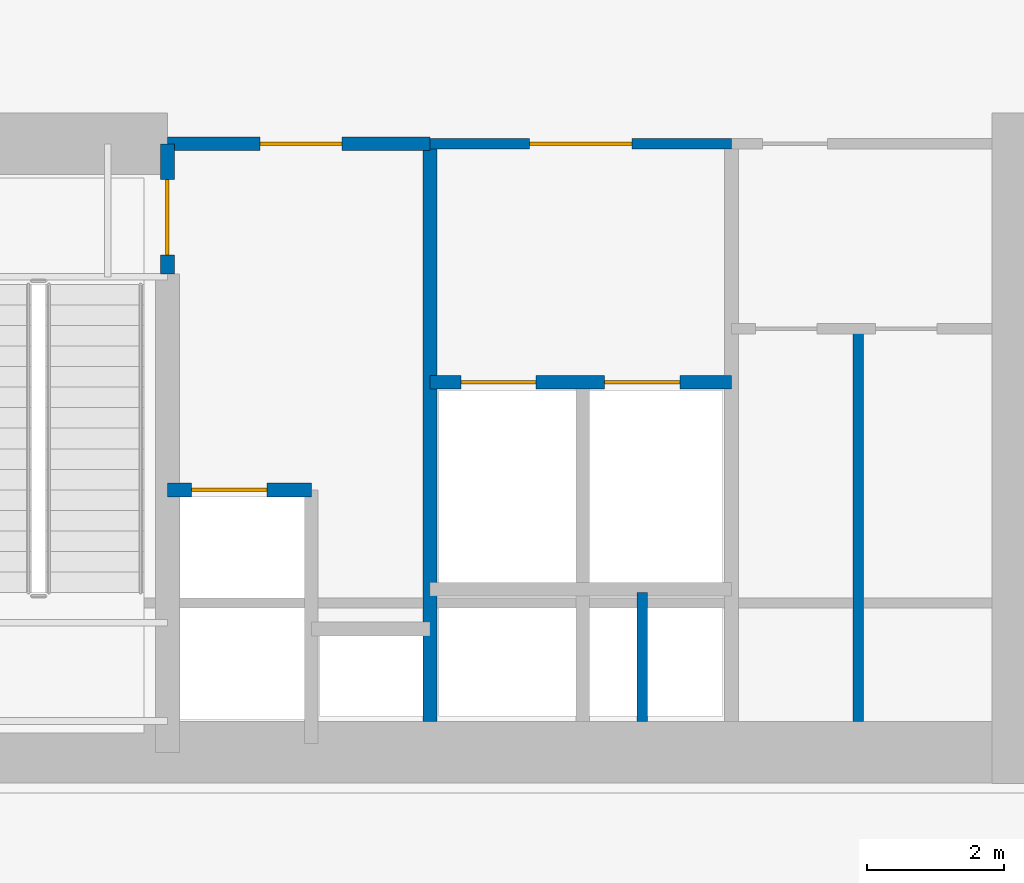
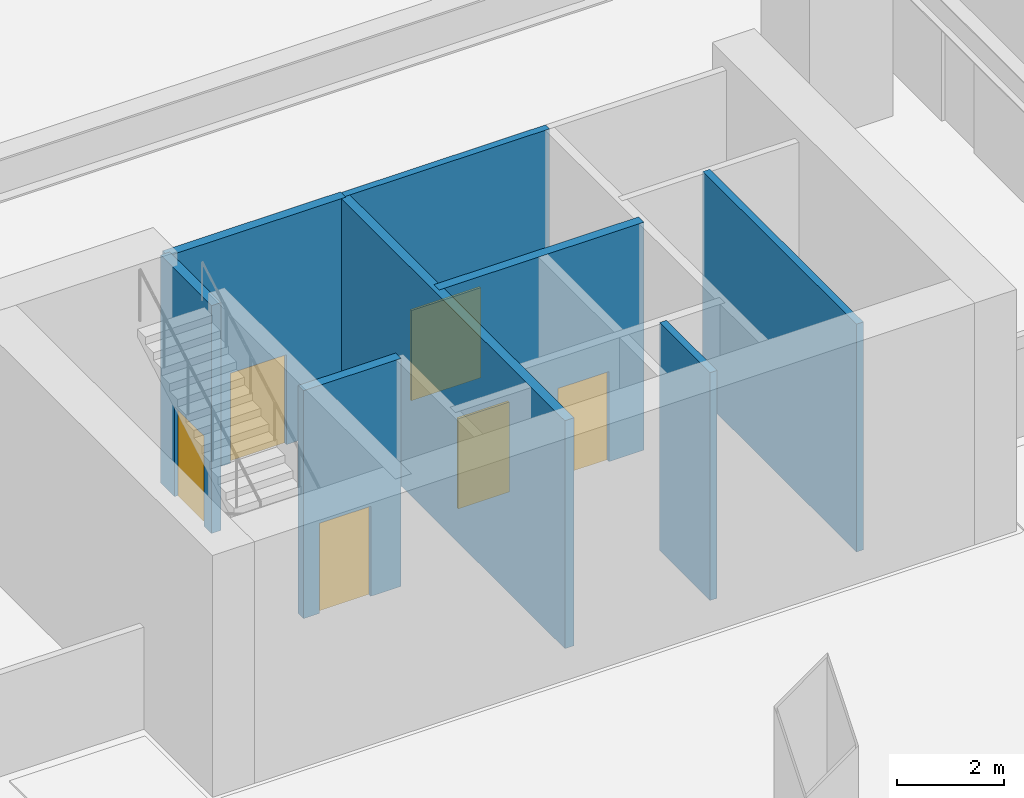
# One storey, part 23 of 34: 8 walls, 6 doors, 6 openings.
"""IFC4 building model written with IfcOpenShell, lengths in metres."""

import ifcopenshell
import ifcopenshell.guid

model = None  # the IFC model being written
_history = None  # IfcOwnerHistory: only IFC2X3 demands one
_inside = {}  # id of a spatial element -> (the spatial element, [elements in it])
_under = {}  # id of a project, library or spatial element -> (it, [spatial elements below it])
_declared = {}  # id of a project -> (the project, [libraries it declares])
_typed = {}  # id of a type object -> (the type object, [elements of that type])
_made_of = {}  # id of a material, layer set ... -> (it, [elements and type objects made of it])


def new_model(schema):
    """Start an empty IFC model of exactly this schema.

    Asked for "IFC4X3", IfcOpenShell would pick the latest addendum, in which some entities
    have other attributes; the version numbers below select the first issue.
    IFC2X3 requires an IfcOwnerHistory on every rooted entity: one is made here for all.
    """
    global model, _history
    if schema == "IFC4X3":
        model = ifcopenshell.file(schema_version=(4, 3, 0, 0))
    else:
        model = ifcopenshell.file(schema=schema)
    _inside.clear()
    _under.clear()
    _declared.clear()
    _typed.clear()
    _made_of.clear()
    _history = None
    if model.schema == "IFC2X3":
        org = make("IfcOrganization", Name="unknown")
        user = make(
            "IfcPersonAndOrganization",
            ThePerson=make("IfcPerson", FamilyName="unknown"),
            TheOrganization=org,
        )
        app = make(
            "IfcApplication",
            ApplicationDeveloper=org,
            Version="unknown",
            ApplicationFullName="unknown",
            ApplicationIdentifier="unknown",
        )
        _history = make(
            "IfcOwnerHistory",
            OwningUser=user,
            OwningApplication=app,
            ChangeAction="ADDED",
            CreationDate=0,
        )
    return model


def make(cls, **values):
    """One entity of the class cls with the attributes given. An attribute that is None is left unset."""
    return model.create_entity(
        cls, **{name: value for name, value in values.items() if value is not None}
    )


def rooted(cls, **values):
    """An entity with a GlobalId (a new one), such as an element, a storey or a relation."""
    return make(cls, GlobalId=ifcopenshell.guid.new(), OwnerHistory=_history, **values)


def si_unit(unit_type, name, prefix=None):
    """IfcSIUnit, for example si_unit("LENGTHUNIT", "METRE", prefix="MILLI")."""
    return make("IfcSIUnit", UnitType=unit_type, Prefix=prefix, Name=name)


def assignment(units):
    """IfcUnitAssignment: the units of a project."""
    return None if units is None else make("IfcUnitAssignment", Units=units)


def point(xyz):
    """IfcCartesianPoint."""
    return None if xyz is None else make("IfcCartesianPoint", Coordinates=xyz)


def direction(xyz):
    """IfcDirection."""
    return None if xyz is None else make("IfcDirection", DirectionRatios=xyz)


def frame(location, z_axis=None, x_axis=None):
    """IfcAxis2Placement3D, a coordinate frame: its origin and axes. An axis left out is left unset."""
    return make(
        "IfcAxis2Placement3D",
        Location=point(location),
        Axis=direction(z_axis),
        RefDirection=direction(x_axis),
    )


def frame_2d(location, x_axis=None):
    """IfcAxis2Placement2D, a coordinate frame in the plane: its origin and x axis."""
    return make(
        "IfcAxis2Placement2D", Location=point(location), RefDirection=direction(x_axis)
    )


def origin():
    """The frame at (0, 0, 0) with its axes left unset."""
    return frame((0.0, 0.0, 0.0))


def place(relative_to, where):
    """IfcLocalPlacement: puts the frame where relative to a parent placement (None: the world)."""
    return make(
        "IfcLocalPlacement", PlacementRelTo=relative_to, RelativePlacement=where
    )


def context(
    kind, dimensions, precision=None, world=None, true_north=None, identifier=None
):
    """IfcGeometricRepresentationContext, for example the 3D "Model" context."""
    return make(
        "IfcGeometricRepresentationContext",
        ContextIdentifier=identifier,
        ContextType=kind,
        CoordinateSpaceDimension=dimensions,
        Precision=precision,
        WorldCoordinateSystem=world,
        TrueNorth=true_north,
    )


def subcontext(parent, identifier, kind, view, scale=None):
    """IfcGeometricRepresentationSubContext, for example "Body" below "Model"."""
    return make(
        "IfcGeometricRepresentationSubContext",
        ContextIdentifier=identifier,
        ContextType=kind,
        ParentContext=parent,
        TargetScale=scale,
        TargetView=view,
    )


def project(units=None, contexts=None):
    """IfcProject with its units and contexts."""
    return rooted(
        "IfcProject",
        Name="project",
        RepresentationContexts=contexts,
        UnitsInContext=assignment(units),
    )


def spatial(cls, under=None, at=None, **own):
    """A site, building, storey or space (cls), placed at a placement, below another one or the project."""
    s = rooted(cls, ObjectPlacement=at, **own)
    if under is not None:
        _under.setdefault(under.id(), (under, []))[1].append(s)
    return s


def profile(cls, at=None, kind="AREA", **sizes):
    """A parametric profile (cls). Its sizes go by their IFC names, for example OverallWidth=200.0."""
    return make(cls, ProfileType=kind, Position=at, **sizes)


def rectangle(**sizes):
    """IfcRectangleProfileDef."""
    return profile("IfcRectangleProfileDef", **sizes)


def extrude(swept, where, along, depth):
    """IfcExtrudedAreaSolid: the profile swept, set in the frame where, extruded along a direction by depth."""
    return make(
        "IfcExtrudedAreaSolid",
        SweptArea=swept,
        Position=where,
        ExtrudedDirection=direction(along),
        Depth=depth,
    )


def shape(context_of_items, identifier, shape_type, items):
    """IfcShapeRepresentation: the items that make up one representation, for example the "Body"."""
    return make(
        "IfcShapeRepresentation",
        ContextOfItems=context_of_items,
        RepresentationIdentifier=identifier,
        RepresentationType=shape_type,
        Items=items,
    )


def material(Name=None, Category=None):
    """IfcMaterial."""
    return make("IfcMaterial", Name=Name, Category=Category)


def layer(
    of_material, thickness, ventilated=None, Name=None, Category=None, Priority=None
):
    """IfcMaterialLayer: one layer of a wall or slab, of a material (None: an air gap)."""
    return make(
        "IfcMaterialLayer",
        Material=of_material,
        LayerThickness=thickness,
        IsVentilated=ventilated,
        Name=Name,
        Category=Category,
        Priority=Priority,
    )


def layer_set(layers, Name=None):
    """IfcMaterialLayerSet."""
    return make("IfcMaterialLayerSet", MaterialLayers=layers, LayerSetName=Name)


def made_of(thing, what):
    """Note that an element or type object is made of a material, layer set ...; save() writes the relation."""
    if what is not None:
        _made_of.setdefault(what.id(), (what, []))[1].append(thing)
    return thing


def type_object(cls, material=None, **own):
    """A type object (cls), such as IfcWallType, which elements share."""
    return made_of(rooted(cls, **own), material)


def element(
    cls,
    number,
    at=None,
    inside=None,
    cuts=None,
    type_object=None,
    material=None,
    context=None,
    identifier="Body",
    shape_type=None,
    held_by="IfcProductDefinitionShape",
    body=None,
    shapes=None,
    **own,
):
    """One element of the class cls, such as IfcWall. Its Tag is "e" and its number.

    at: its placement. inside: the storey or other place that contains it. cuts: it is an
    opening in that element (IfcRelVoidsElement). A single representation is given by context,
    identifier, shape_type and body (its items); several are given by shapes. held_by: the class
    of the entity that holds the representations. save() writes the other relations.
    """
    e = rooted(cls, Tag="e%d" % number, ObjectPlacement=at, **own)
    if body is not None:
        shapes = [shape(context, identifier, shape_type, body)]
    if shapes is not None:
        e.Representation = make(held_by, Representations=shapes)
    if inside is not None:
        _inside.setdefault(inside.id(), (inside, []))[1].append(e)
    if cuts is not None:
        rooted(
            "IfcRelVoidsElement", RelatingBuildingElement=cuts, RelatedOpeningElement=e
        )
    if type_object is not None:
        _typed.setdefault(type_object.id(), (type_object, []))[1].append(e)
    return made_of(e, material)


def fill(opening, filler):
    """IfcRelFillsElement: the door or window that sits in an opening."""
    return rooted(
        "IfcRelFillsElement",
        RelatingOpeningElement=opening,
        RelatedBuildingElement=filler,
    )


def aggregate(whole, parts):
    """IfcRelAggregates: a whole, such as a stair, and the parts it consists of."""
    return rooted("IfcRelAggregates", RelatingObject=whole, RelatedObjects=parts)


def save(model, path):
    """Write the relations noted so far, then the file.

    IfcRelAggregates (storeys below a building ...), IfcRelContainedInSpatialStructure (elements
    in a storey), IfcRelDefinesByType, IfcRelAssociatesMaterial and IfcRelDeclares: one each for
    every whole, place, type object, material and project.
    """
    for whole, parts in _under.values():
        aggregate(whole, parts)
    for where, things in _inside.values():
        rooted(
            "IfcRelContainedInSpatialStructure",
            RelatedElements=things,
            RelatingStructure=where,
        )
    for kind, things in _typed.values():
        rooted("IfcRelDefinesByType", RelatedObjects=things, RelatingType=kind)
    for what, things in _made_of.values():
        rooted("IfcRelAssociatesMaterial", RelatedObjects=things, RelatingMaterial=what)
    for by, libraries in _declared.values():
        rooted("IfcRelDeclares", RelatingContext=by, RelatedDefinitions=libraries)
    model.write(path)


model = new_model("IFC4")

# Units and contexts
model_context = context("Model", 3, precision=1e-05, world=origin(), true_north=direction((0.0, 1.0)))
body_context = subcontext(model_context, "Body", "Model", "MODEL_VIEW")
ifc_project = project(units=[si_unit("LENGTHUNIT", "METRE"), si_unit("AREAUNIT", "SQUARE_METRE"), si_unit("VOLUMEUNIT", "CUBIC_METRE"), si_unit("PLANEANGLEUNIT", "RADIAN"), si_unit("MASSUNIT", "GRAM", prefix="KILO")], contexts=[model_context])

# Site, building, storey
site_placement = place(None, origin())
site = spatial("IfcSite", under=ifc_project, at=site_placement, CompositionType="ELEMENT")
building_placement = place(site_placement, origin())
building = spatial("IfcBuilding", under=site, at=building_placement, Name="Qiaolan Cultural Towers", CompositionType="ELEMENT")
storey_placement = place(building_placement, frame((0.0, 0.0, 16.5)))
storey = spatial("IfcBuildingStorey", under=building, at=storey_placement, Name="L03", CompositionType="ELEMENT", Elevation=16.5)

# Wall, opening, door
ifc_material_1 = material(Name="Concrete C35 Fire Wall", Category="concrete")
ifc_layer_1 = layer(ifc_material_1, 0.199951171875)
ifc_layer_set_1 = layer_set([ifc_layer_1], Name="Concrete C35 Fire Wall")
wall_type_1 = type_object("IfcWallType", Name="WL-FIRE-200", PredefinedType="PARTITIONING", material=ifc_layer_set_1)
wall_1_placement = place(storey_placement, frame((25.719970703125, 21.60009765625, 0.0), z_axis=(0.0, 0.0, 1.0), x_axis=(0.0, -1.0, 0.0)))
wall_1 = element("IfcWall", 1, at=wall_1_placement, inside=storey, type_object=wall_type_1, Name="L03 T1-CS Smokeproof Stair Entry Wall", PredefinedType="PARTITIONING", context=body_context, shape_type="SweptSolid", body=[
    extrude(rectangle(XDim=1.900146484375, YDim=0.199951171875, at=frame_2d((0.9501953125, 0.0))), origin(), (0.0, 0.0, 1.0), 5.18505859375),
])
opening_1_placement = place(wall_1_placement, frame((0.52001953125, 0.0, 0.0)))
opening_1 = element("IfcOpeningElement", 2, at=opening_1_placement, cuts=wall_1, Name="Opening FD-04", PredefinedType="OPENING", context=body_context, shape_type="SweptSolid", body=[
    extrude(rectangle(XDim=1.10009765625, YDim=2.050048828125, at=frame_2d((0.550048828125, 1.02490234375))), frame((0.0, 0.10986328125, 0.0), z_axis=(0.0, -1.0, 0.0), x_axis=(1.0, 0.0, 0.0)), (0.0, 0.0, 1.0), 0.219970703125),
])
ifc_material_2 = material(Name="Galvanized Steel Command Fire Door", Category="steel")
door_type_1 = type_object("IfcDoorType", Name="DR-FD90-1100", OperationType="NOTDEFINED", PredefinedType="DOOR", material=ifc_material_2)
door_1_placement = place(opening_1_placement, origin())
door_1 = element("IfcDoor", 3, at=door_1_placement, inside=storey, type_object=door_type_1, Name="L03 ST-W1 Smokeproof Stair Fire Door", OperationType="SINGLE_SWING_LEFT", OverallHeight=2.050048828125, OverallWidth=1.10009765625, PredefinedType="DOOR", context=body_context, shape_type="SweptSolid", body=[
    extrude(rectangle(XDim=1.10009765625, YDim=2.050048828125, at=frame_2d((0.550048828125, 1.02490234375))), frame((0.0, 0.02490234375, 0.0), z_axis=(0.0, -1.0, 0.0), x_axis=(1.0, 0.0, 0.0)), (0.0, 0.0, 1.0), 0.050048828125),
])
fill(opening_1, door_1)

# Wall
wall_2_placement = place(storey_placement, frame((29.550048828125, 21.60009765625, 0.0), z_axis=(0.0, 0.0, 1.0), x_axis=(0.0, -1.0, 0.0)))
element("IfcWall", 4, at=wall_2_placement, inside=storey, type_object=wall_type_1, Name="L03 T1-CS Firefighting Zone Wall", PredefinedType="PARTITIONING", context=body_context, shape_type="SweptSolid", body=[
    extrude(rectangle(XDim=8.43017578125, YDim=0.199951171875, at=frame_2d((4.215087890625, 0.0))), origin(), (0.0, 0.0, 1.0), 5.18505859375),
])

# Wall, opening, door
wall_3_placement = place(storey_placement, frame((25.719970703125, 21.60009765625, 0.0), z_axis=(0.0, 0.0, 1.0), x_axis=(1.0, 0.0, 0.0)))
wall_3 = element("IfcWall", 5, at=wall_3_placement, inside=storey, type_object=wall_type_1, Name="L03 T1-CS Firefighting Lobby Front Wall", PredefinedType="PARTITIONING", context=body_context, shape_type="SweptSolid", body=[
    extrude(rectangle(XDim=3.830078125, YDim=0.199951171875, at=frame_2d((1.9150390625, 0.0))), origin(), (0.0, 0.0, 1.0), 5.18505859375),
])
opening_2_placement = place(wall_3_placement, frame((1.35009765625, 0.0, 0.0)))
opening_2 = element("IfcOpeningElement", 6, at=opening_2_placement, cuts=wall_3, Name="Opening FD-03", PredefinedType="OPENING", context=body_context, shape_type="SweptSolid", body=[
    extrude(rectangle(XDim=1.199951171875, YDim=2.050048828125, at=frame_2d((0.60009765625, 1.02490234375))), frame((0.0, 0.10986328125, 0.0), z_axis=(0.0, -1.0, 0.0), x_axis=(1.0, 0.0, 0.0)), (0.0, 0.0, 1.0), 0.219970703125),
])
ifc_material_3 = material(Name="Galvanized Steel Smokeproof Lobby Fire Door", Category="steel")
door_type_2 = type_object("IfcDoorType", Name="DR-FD90-1200", OperationType="NOTDEFINED", PredefinedType="DOOR", material=ifc_material_3)
door_2_placement = place(opening_2_placement, origin())
door_2 = element("IfcDoor", 7, at=door_2_placement, inside=storey, type_object=door_type_2, Name="L03 FFL-W1 Firefighting Lobby Fire Door", OperationType="SINGLE_SWING_LEFT", OverallHeight=2.050048828125, OverallWidth=1.199951171875, PredefinedType="DOOR", context=body_context, shape_type="SweptSolid", body=[
    extrude(rectangle(XDim=1.199951171875, YDim=2.050048828125, at=frame_2d((0.60009765625, 1.02490234375))), frame((0.0, 0.02490234375, 0.0), z_axis=(0.0, -1.0, 0.0), x_axis=(1.0, 0.0, 0.0)), (0.0, 0.0, 1.0), 0.050048828125),
])
fill(opening_2, door_2)

wall_4_placement = place(storey_placement, frame((25.719970703125, 16.550048828125, 0.0), z_axis=(0.0, 0.0, 1.0), x_axis=(1.0, 0.0, 0.0)))
wall_4 = element("IfcWall", 8, at=wall_4_placement, inside=storey, type_object=wall_type_1, Name="L03 T1-CS Firefighting Shaft Front Wall", PredefinedType="PARTITIONING", context=body_context, shape_type="SweptSolid", body=[
    extrude(rectangle(XDim=2.10009765625, YDim=0.199951171875, at=frame_2d((1.050048828125, 0.0))), origin(), (0.0, 0.0, 1.0), 5.18505859375),
])
opening_3_placement = place(wall_4_placement, frame((0.35009765625, 0.0, 0.0)))
opening_3 = element("IfcOpeningElement", 9, at=opening_3_placement, cuts=wall_4, Name="Opening LD-01", PredefinedType="OPENING", context=body_context, shape_type="SweptSolid", body=[
    extrude(rectangle(XDim=1.10009765625, YDim=2.050048828125, at=frame_2d((0.550048828125, 1.02490234375))), frame((0.0, 0.10986328125, 0.0), z_axis=(0.0, -1.0, 0.0), x_axis=(1.0, 0.0, 0.0)), (0.0, 0.0, 1.0), 0.219970703125),
])
ifc_material_4 = material(Name="Brushed Stainless Steel S30408 Centre-Parting Lift Landing Door", Category="steel")
door_type_3 = type_object("IfcDoorType", Name="DR-LIFT-1100", OperationType="NOTDEFINED", PredefinedType="DOOR", material=ifc_material_4)
door_3_placement = place(opening_3_placement, origin())
door_3 = element("IfcDoor", 10, at=door_3_placement, inside=storey, type_object=door_type_3, Name="L03 FFL-W1 Firefighting Lift Landing Door", OperationType="DOUBLE_DOOR_SLIDING", OverallHeight=2.050048828125, OverallWidth=1.10009765625, PredefinedType="DOOR", context=body_context, shape_type="SweptSolid", body=[
    extrude(rectangle(XDim=1.10009765625, YDim=2.050048828125, at=frame_2d((0.550048828125, 1.02490234375))), frame((0.0, 0.02490234375, 0.0), z_axis=(0.0, -1.0, 0.0), x_axis=(1.0, 0.0, 0.0)), (0.0, 0.0, 1.0), 0.050048828125),
])
fill(opening_3, door_3)

# Wall, openings, doors
wall_5_placement = place(storey_placement, frame((29.550048828125, 18.1201171875, 0.0), z_axis=(0.0, 0.0, 1.0), x_axis=(1.0, 0.0, 0.0)))
wall_5 = element("IfcWall", 11, at=wall_5_placement, inside=storey, type_object=wall_type_1, Name="L03 T1-CS Passenger Lift Shaft Front Wall", PredefinedType="PARTITIONING", context=body_context, shape_type="SweptSolid", body=[
    extrude(rectangle(XDim=4.39990234375, YDim=0.199951171875, at=frame_2d((2.199951171875, 0.0))), origin(), (0.0, 0.0, 1.0), 5.18505859375),
])
opening_4_placement = place(wall_5_placement, frame((0.449951171875, 0.0, 0.0)))
opening_4 = element("IfcOpeningElement", 12, at=opening_4_placement, cuts=wall_5, Name="Opening LD-01", PredefinedType="OPENING", context=body_context, shape_type="SweptSolid", body=[
    extrude(rectangle(XDim=1.10009765625, YDim=2.050048828125, at=frame_2d((0.550048828125, 1.02490234375))), frame((0.0, 0.10986328125, 0.0), z_axis=(0.0, -1.0, 0.0), x_axis=(1.0, 0.0, 0.0)), (0.0, 0.0, 1.0), 0.219970703125),
])
opening_5_placement = place(wall_5_placement, frame((2.550048828125, 0.0, 0.0)))
opening_5 = element("IfcOpeningElement", 13, at=opening_5_placement, cuts=wall_5, Name="Opening LD-01", PredefinedType="OPENING", context=body_context, shape_type="SweptSolid", body=[
    extrude(rectangle(XDim=1.10009765625, YDim=2.050048828125, at=frame_2d((0.550048828125, 1.02490234375))), frame((0.0, 0.10986328125, 0.0), z_axis=(0.0, -1.0, 0.0), x_axis=(1.0, 0.0, 0.0)), (0.0, 0.0, 1.0), 0.219970703125),
])
door_4_placement = place(opening_4_placement, origin())
door_4 = element("IfcDoor", 14, at=door_4_placement, inside=storey, type_object=door_type_3, Name="L03 Passenger Lift 1 Landing Door", OperationType="DOUBLE_DOOR_SLIDING", OverallHeight=2.050048828125, OverallWidth=1.10009765625, PredefinedType="DOOR", context=body_context, shape_type="SweptSolid", body=[
    extrude(rectangle(XDim=1.10009765625, YDim=2.050048828125, at=frame_2d((0.550048828125, 1.02490234375))), frame((0.0, 0.02490234375, 0.0), z_axis=(0.0, -1.0, 0.0), x_axis=(1.0, 0.0, 0.0)), (0.0, 0.0, 1.0), 0.050048828125),
])
fill(opening_4, door_4)
door_5_placement = place(opening_5_placement, origin())
door_5 = element("IfcDoor", 15, at=door_5_placement, inside=storey, type_object=door_type_3, Name="L03 Passenger Lift 2 Landing Door", OperationType="DOUBLE_DOOR_SLIDING", OverallHeight=2.050048828125, OverallWidth=1.10009765625, PredefinedType="DOOR", context=body_context, shape_type="SweptSolid", body=[
    extrude(rectangle(XDim=1.10009765625, YDim=2.050048828125, at=frame_2d((0.550048828125, 1.02490234375))), frame((0.0, 0.02490234375, 0.0), z_axis=(0.0, -1.0, 0.0), x_axis=(1.0, 0.0, 0.0)), (0.0, 0.0, 1.0), 0.050048828125),
])
fill(opening_5, door_5)

# Wall, opening, door
ifc_material_5 = material(Name="Autoclaved Aerated Concrete Block B06", Category="concrete")
ifc_layer_2 = layer(ifc_material_5, 0.14990234375)
ifc_layer_set_2 = layer_set([ifc_layer_2], Name="Autoclaved Aerated Concrete Block B06")
wall_type_2 = type_object("IfcWallType", Name="WL-PART-150", PredefinedType="PARTITIONING", material=ifc_layer_set_2)
wall_6_placement = place(storey_placement, frame((29.550048828125, 21.60009765625, 0.0), z_axis=(0.0, 0.0, 1.0), x_axis=(1.0, 0.0, 0.0)))
wall_6 = element("IfcWall", 16, at=wall_6_placement, inside=storey, type_object=wall_type_2, Name="L03 T1-CS Passenger Lift Lobby Front Wall", PredefinedType="PARTITIONING", context=body_context, shape_type="SweptSolid", body=[
    extrude(rectangle(XDim=4.39990234375, YDim=0.14990234375, at=frame_2d((2.199951171875, 0.0))), origin(), (0.0, 0.0, 1.0), 5.18505859375),
])
opening_6_placement = place(wall_6_placement, frame((1.449951171875, 0.0, 0.0)))
opening_6 = element("IfcOpeningElement", 17, at=opening_6_placement, cuts=wall_6, Name="Opening FD-05", PredefinedType="OPENING", context=body_context, shape_type="SweptSolid", body=[
    extrude(rectangle(XDim=1.5, YDim=2.050048828125, at=frame_2d((0.75, 1.02490234375))), frame((0.0, 0.0849609375, 0.0), z_axis=(0.0, -1.0, 0.0), x_axis=(1.0, 0.0, 0.0)), (0.0, 0.0, 1.0), 0.169921875),
])
ifc_material_6 = material(Name="Painted Steel Lift Lobby Fire Door", Category="steel")
door_type_4 = type_object("IfcDoorType", Name="DR-FD60-1500", OperationType="NOTDEFINED", PredefinedType="DOOR", material=ifc_material_6)
door_6_placement = place(opening_6_placement, origin())
door_6 = element("IfcDoor", 18, at=door_6_placement, inside=storey, type_object=door_type_4, Name="L03 Passenger Lift Lobby Entrance", OperationType="SINGLE_SWING_LEFT", OverallHeight=2.050048828125, OverallWidth=1.5, PredefinedType="DOOR", context=body_context, shape_type="SweptSolid", body=[
    extrude(rectangle(XDim=1.5, YDim=2.050048828125, at=frame_2d((0.75, 1.02490234375))), frame((0.0, 0.02490234375, 0.0), z_axis=(0.0, -1.0, 0.0), x_axis=(1.0, 0.0, 0.0)), (0.0, 0.0, 1.0), 0.050048828125),
])
fill(opening_6, door_6)

# Walls
wall_7_placement = place(storey_placement, frame((32.64990234375, 15.050048828125, 0.0), z_axis=(0.0, 0.0, 1.0), x_axis=(0.0, -1.0, 0.0)))
element("IfcWall", 19, at=wall_7_placement, inside=storey, type_object=wall_type_2, Name="L03 T1-CS Core Rear Asymmetric Wall", PredefinedType="PARTITIONING", context=body_context, shape_type="SweptSolid", body=[
    extrude(rectangle(XDim=1.880126953125, YDim=0.14990234375, at=frame_2d((0.93994140625, 0.0))), origin(), (0.0, 0.0, 1.0), 5.18505859375),
])
wall_8_placement = place(storey_placement, frame((35.800048828125, 18.89990234375, 0.0), z_axis=(0.0, 0.0, 1.0), x_axis=(0.0, -1.0, 0.0)))
element("IfcWall", 20, at=wall_8_placement, inside=storey, type_object=wall_type_2, Name="L03 T1-CS Restroom Divider Wall", PredefinedType="PARTITIONING", context=body_context, shape_type="SweptSolid", body=[
    extrude(rectangle(XDim=5.72998046875, YDim=0.14990234375, at=frame_2d((2.864990234375, 0.0))), origin(), (0.0, 0.0, 1.0), 5.18505859375),
])

save(model, "model.ifc")
